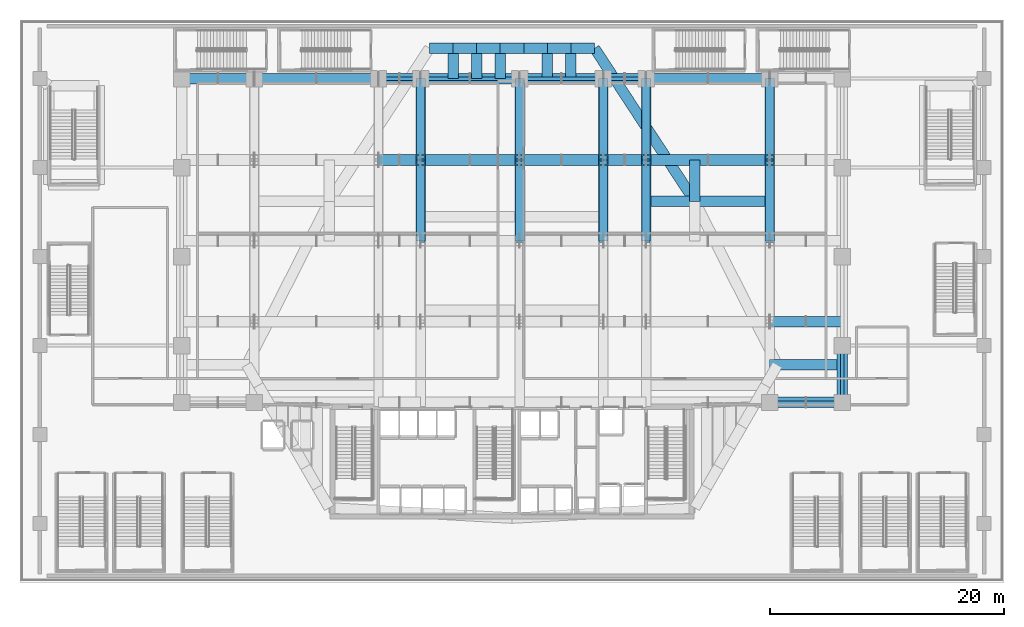
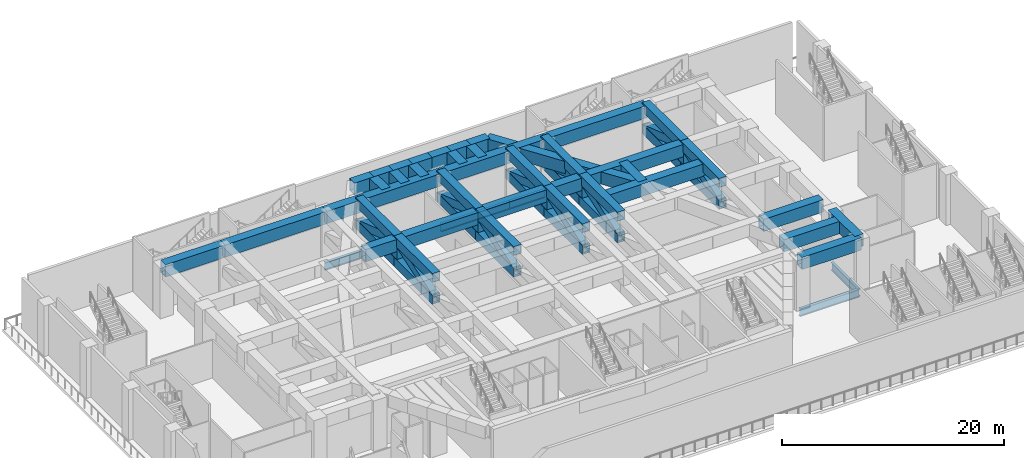
# One storey, part 3 of 27: 37 beams, 35 members.
"""IFC4 building model written with IfcOpenShell, lengths in metres."""

from ifc_helpers import new_model, si_unit, direction, frame, origin, origin_2d, place, context, subcontext, project, spatial, hollow_rectangle, i_section, extrude, material, material_profile, profile_set, type_object, element, save


model = new_model("IFC4")

# Units and contexts
model_context = context("Model", 3, precision=1e-05, world=origin(), true_north=direction((0.0, 1.0)))
body_context = subcontext(model_context, "Body", "Model", "MODEL_VIEW")
ifc_project = project(units=[si_unit("LENGTHUNIT", "METRE"), si_unit("AREAUNIT", "SQUARE_METRE"), si_unit("VOLUMEUNIT", "CUBIC_METRE"), si_unit("PLANEANGLEUNIT", "RADIAN"), si_unit("MASSUNIT", "GRAM", prefix="KILO")], contexts=[model_context])

# Site, building, storey
site_placement = place(None, origin())
site = spatial("IfcSite", under=ifc_project, at=site_placement, CompositionType="ELEMENT")
building_placement = place(site_placement, origin())
building = spatial("IfcBuilding", under=site, at=building_placement, Name="Ndaravel Arena Tower", CompositionType="ELEMENT")
storey_placement = place(building_placement, frame((0.0, 0.0, 24.0)))
storey = spatial("IfcBuildingStorey", under=building, at=storey_placement, Name="L04", CompositionType="ELEMENT", Elevation=24.0)

# Beams
ifc_material_1 = material(Name="Steel S355", Category="steel")
ifc_material_profile_1 = material_profile(ifc_material_1, i_section(OverallWidth=0.293701171875, OverallDepth=0.850830078125, WebThickness=0.01611328125, FlangeThickness=0.02685546875, FilletRadius=0.017822265625, at=origin_2d()), Name="UB 838x292x226")
ifc_profile_set_1 = profile_set([ifc_material_profile_1], Name="Steel S355")
beam_type_1 = type_object("IfcBeamType", Name="BM-POD-UB838", PredefinedType="BEAM", material=ifc_profile_set_1)
beam_1_placement = place(storey_placement, frame((70.199951171875, 15.35009765625, -0.7255859375), z_axis=(0.0, 1.0, 0.0), x_axis=(-1.0, 0.0, 0.0)))
element("IfcBeam", 1, at=beam_1_placement, inside=storey, type_object=beam_type_1, Name="L04 Arena Ring Girder 05", PredefinedType="BEAM", context=body_context, shape_type="SweptSolid", body=[
    extrude(i_section(OverallWidth=0.293701171875, OverallDepth=0.850830078125, WebThickness=0.01611328125, FlangeThickness=0.02685546875, FilletRadius=0.017822265625, at=origin_2d()), origin(), (0.0, 0.0, 1.0), 4.849853515625),
])
beam_2_placement = place(storey_placement, frame((30.60009765625, 43.0, -0.7255859375), z_axis=(1.0, 0.0, 0.0), x_axis=(0.0, 1.0, 0.0)))
element("IfcBeam", 2, at=beam_2_placement, inside=storey, type_object=beam_type_1, Name="L04 Arena Ring Girder 11", PredefinedType="BEAM", context=body_context, shape_type="SweptSolid", body=[
    extrude(i_section(OverallWidth=0.293701171875, OverallDepth=0.850830078125, WebThickness=0.01611328125, FlangeThickness=0.02685546875, FilletRadius=0.017822265625, at=origin_2d()), origin(), (0.0, 0.0, 1.0), 3.599853515625),
])
beam_3_placement = place(storey_placement, frame((34.199951171875, 43.0, -0.7255859375), z_axis=(1.0, 0.0, 0.0), x_axis=(0.0, 1.0, 0.0)))
element("IfcBeam", 3, at=beam_3_placement, inside=storey, type_object=beam_type_1, Name="L04 Arena Ring Girder 12", PredefinedType="BEAM", context=body_context, shape_type="SweptSolid", body=[
    extrude(i_section(OverallWidth=0.293701171875, OverallDepth=0.850830078125, WebThickness=0.01611328125, FlangeThickness=0.02685546875, FilletRadius=0.017822265625, at=origin_2d()), origin(), (0.0, 0.0, 1.0), 8.449951171875),
])
beam_4_placement = place(storey_placement, frame((42.64990234375, 43.0, -0.7255859375), z_axis=(1.0, 0.0, 0.0), x_axis=(0.0, 1.0, 0.0)))
element("IfcBeam", 4, at=beam_4_placement, inside=storey, type_object=beam_type_1, Name="L04 Arena Ring Girder 13", PredefinedType="BEAM", context=body_context, shape_type="SweptSolid", body=[
    extrude(i_section(OverallWidth=0.293701171875, OverallDepth=0.850830078125, WebThickness=0.01611328125, FlangeThickness=0.02685546875, FilletRadius=0.017822265625, at=origin_2d()), origin(), (0.0, 0.0, 1.0), 7.150146484375),
])
beam_5_placement = place(storey_placement, frame((49.800048828125, 43.0, -0.7255859375), z_axis=(1.0, 0.0, 0.0), x_axis=(0.0, 1.0, 0.0)))
element("IfcBeam", 5, at=beam_5_placement, inside=storey, type_object=beam_type_1, Name="L04 Arena Ring Girder 14", PredefinedType="BEAM", context=body_context, shape_type="SweptSolid", body=[
    extrude(i_section(OverallWidth=0.293701171875, OverallDepth=0.850830078125, WebThickness=0.01611328125, FlangeThickness=0.02685546875, FilletRadius=0.017822265625, at=origin_2d()), origin(), (0.0, 0.0, 1.0), 3.64990234375),
])
beam_6_placement = place(storey_placement, frame((64.0, 15.35009765625, -0.7255859375), z_axis=(1.0, 0.0, 0.0), x_axis=(0.0, 1.0, 0.0)))
element("IfcBeam", 6, at=beam_6_placement, inside=storey, type_object=beam_type_1, Name="L04 Arena Ring Girder 20", PredefinedType="BEAM", context=body_context, shape_type="SweptSolid", body=[
    extrude(i_section(OverallWidth=0.293701171875, OverallDepth=0.850830078125, WebThickness=0.01611328125, FlangeThickness=0.02685546875, FilletRadius=0.017822265625, at=origin_2d()), origin(), (0.0, 0.0, 1.0), 6.199951171875),
])
ifc_material_2 = material(Name="Steel S460", Category="steel")
ifc_material_profile_2 = material_profile(ifc_material_2, hollow_rectangle(XDim=0.89990234375, YDim=1.35009765625, WallThickness=0.070068359375, at=origin_2d()), Name="BOX 1350x900x70")
ifc_profile_set_2 = profile_set([ifc_material_profile_2], Name="Steel S460")
beam_type_2 = type_object("IfcBeamType", Name="BM-XFER-BOX1350", PredefinedType="BEAM", material=ifc_profile_set_2)
beam_7_placement = place(storey_placement, frame((70.199951171875, 15.35009765625, 4.875), z_axis=(0.0, 1.0, 0.0), x_axis=(-1.0, 0.0, 0.0)))
element("IfcBeam", 7, at=beam_7_placement, inside=storey, type_object=beam_type_2, Name="Transfer Perimeter Box Girder TPB-2.1", PredefinedType="BEAM", context=body_context, shape_type="SweptSolid", body=[
    extrude(hollow_rectangle(XDim=0.89990234375, YDim=1.35009765625, WallThickness=0.070068359375, at=origin_2d()), origin(), (0.0, 0.0, 1.0), 4.849853515625),
])
for number, where, z_axis, x_axis, name in (
    (8, (64.0, 15.35009765625, 4.875), (1.0, 0.0, 0.0), (0.0, 1.0, 0.0), "Transfer Deck Box Girder TG-1.8"),
    (9, (64.0, 22.25, 4.875), (1.0, 0.0, 0.0), (0.0, 1.0, 0.0), "Transfer Deck Box Girder TG-2.8"),
):
    element("IfcBeam", number, at=place(storey_placement, frame(where, z_axis=z_axis, x_axis=x_axis)), inside=storey, type_object=beam_type_2, Name=name, PredefinedType="BEAM", context=body_context, shape_type="SweptSolid", body=[
        extrude(hollow_rectangle(XDim=0.89990234375, YDim=1.35009765625, WallThickness=0.070068359375, at=origin_2d()), origin(), (0.0, 0.0, 1.0), 6.199951171875),
    ])
beam_8_placement = place(storey_placement, frame((30.60009765625, 36.050048828125, 4.875), z_axis=(1.0, 0.0, 0.0), x_axis=(0.0, 1.0, 0.0)))
element("IfcBeam", 10, at=beam_8_placement, inside=storey, type_object=beam_type_2, Name="Transfer Deck Box Girder TG-4.3", PredefinedType="BEAM", context=body_context, shape_type="SweptSolid", body=[
    extrude(hollow_rectangle(XDim=0.89990234375, YDim=1.35009765625, WallThickness=0.070068359375, at=origin_2d()), origin(), (0.0, 0.0, 1.0), 3.599853515625),
])
beam_9_placement = place(storey_placement, frame((34.199951171875, 36.050048828125, 4.875), z_axis=(1.0, 0.0, 0.0), x_axis=(0.0, 1.0, 0.0)))
element("IfcBeam", 11, at=beam_9_placement, inside=storey, type_object=beam_type_2, Name="Transfer Deck Box Girder TG-4.4", PredefinedType="BEAM", context=body_context, shape_type="SweptSolid", body=[
    extrude(hollow_rectangle(XDim=0.89990234375, YDim=1.35009765625, WallThickness=0.070068359375, at=origin_2d()), origin(), (0.0, 0.0, 1.0), 8.449951171875),
])
beam_10_placement = place(storey_placement, frame((42.64990234375, 36.050048828125, 4.875), z_axis=(1.0, 0.0, 0.0), x_axis=(0.0, 1.0, 0.0)))
element("IfcBeam", 12, at=beam_10_placement, inside=storey, type_object=beam_type_2, Name="Transfer Deck Box Girder TG-4.5", PredefinedType="BEAM", context=body_context, shape_type="SweptSolid", body=[
    extrude(hollow_rectangle(XDim=0.89990234375, YDim=1.35009765625, WallThickness=0.070068359375, at=origin_2d()), origin(), (0.0, 0.0, 1.0), 7.150146484375),
])
beam_11_placement = place(storey_placement, frame((49.800048828125, 36.050048828125, 4.875), z_axis=(1.0, 0.0, 0.0), x_axis=(0.0, 1.0, 0.0)))
element("IfcBeam", 13, at=beam_11_placement, inside=storey, type_object=beam_type_2, Name="Transfer Deck Box Girder TG-4.6", PredefinedType="BEAM", context=body_context, shape_type="SweptSolid", body=[
    extrude(hollow_rectangle(XDim=0.89990234375, YDim=1.35009765625, WallThickness=0.070068359375, at=origin_2d()), origin(), (0.0, 0.0, 1.0), 3.64990234375),
])
beam_12_placement = place(storey_placement, frame((53.449951171875, 36.050048828125, 4.875), z_axis=(1.0, 0.0, 0.0), x_axis=(0.0, 1.0, 0.0)))
element("IfcBeam", 14, at=beam_12_placement, inside=storey, type_object=beam_type_2, Name="Transfer Deck Box Girder TG-4.7", PredefinedType="BEAM", context=body_context, shape_type="SweptSolid", body=[
    extrude(hollow_rectangle(XDim=0.89990234375, YDim=1.35009765625, WallThickness=0.070068359375, at=origin_2d()), origin(), (0.0, 0.0, 1.0), 10.550048828125),
])
beam_13_placement = place(storey_placement, frame((13.800048828125, 43.0, 4.875), z_axis=(1.0, 0.0, 0.0), x_axis=(0.0, 1.0, 0.0)))
element("IfcBeam", 15, at=beam_13_placement, inside=storey, type_object=beam_type_2, Name="Transfer Deck Box Girder TG-5.1", PredefinedType="BEAM", context=body_context, shape_type="SweptSolid", body=[
    extrude(hollow_rectangle(XDim=0.89990234375, YDim=1.35009765625, WallThickness=0.070068359375, at=origin_2d()), origin(), (0.0, 0.0, 1.0), 6.199951171875),
])
beam_14_placement = place(storey_placement, frame((20.0, 43.0, 4.875), z_axis=(1.0, 0.0, 0.0), x_axis=(0.0, 1.0, 0.0)))
element("IfcBeam", 16, at=beam_14_placement, inside=storey, type_object=beam_type_2, Name="Transfer Deck Box Girder TG-5.2", PredefinedType="BEAM", context=body_context, shape_type="SweptSolid", body=[
    extrude(hollow_rectangle(XDim=0.89990234375, YDim=1.35009765625, WallThickness=0.070068359375, at=origin_2d()), origin(), (0.0, 0.0, 1.0), 10.60009765625),
])
beam_15_placement = place(storey_placement, frame((30.60009765625, 43.0, 4.875), z_axis=(1.0, 0.0, 0.0), x_axis=(0.0, 1.0, 0.0)))
element("IfcBeam", 17, at=beam_15_placement, inside=storey, type_object=beam_type_2, Name="Transfer Deck Box Girder TG-5.3", PredefinedType="BEAM", context=body_context, shape_type="SweptSolid", body=[
    extrude(hollow_rectangle(XDim=0.89990234375, YDim=1.35009765625, WallThickness=0.070068359375, at=origin_2d()), origin(), (0.0, 0.0, 1.0), 3.599853515625),
])
beam_16_placement = place(storey_placement, frame((34.199951171875, 43.0, 4.875), z_axis=(1.0, 0.0, 0.0), x_axis=(0.0, 1.0, 0.0)))
element("IfcBeam", 18, at=beam_16_placement, inside=storey, type_object=beam_type_2, Name="Transfer Deck Box Girder TG-5.4", PredefinedType="BEAM", context=body_context, shape_type="SweptSolid", body=[
    extrude(hollow_rectangle(XDim=0.89990234375, YDim=1.35009765625, WallThickness=0.070068359375, at=origin_2d()), origin(), (0.0, 0.0, 1.0), 8.449951171875),
])
beam_17_placement = place(storey_placement, frame((42.64990234375, 43.0, 4.875), z_axis=(1.0, 0.0, 0.0), x_axis=(0.0, 1.0, 0.0)))
element("IfcBeam", 19, at=beam_17_placement, inside=storey, type_object=beam_type_2, Name="Transfer Deck Box Girder TG-5.5", PredefinedType="BEAM", context=body_context, shape_type="SweptSolid", body=[
    extrude(hollow_rectangle(XDim=0.89990234375, YDim=1.35009765625, WallThickness=0.070068359375, at=origin_2d()), origin(), (0.0, 0.0, 1.0), 7.150146484375),
])
beam_18_placement = place(storey_placement, frame((49.800048828125, 43.0, 4.875), z_axis=(1.0, 0.0, 0.0), x_axis=(0.0, 1.0, 0.0)))
element("IfcBeam", 20, at=beam_18_placement, inside=storey, type_object=beam_type_2, Name="Transfer Deck Box Girder TG-5.6", PredefinedType="BEAM", context=body_context, shape_type="SweptSolid", body=[
    extrude(hollow_rectangle(XDim=0.89990234375, YDim=1.35009765625, WallThickness=0.070068359375, at=origin_2d()), origin(), (0.0, 0.0, 1.0), 3.64990234375),
])
beam_19_placement = place(storey_placement, frame((53.449951171875, 43.0, 4.875), z_axis=(1.0, 0.0, 0.0), x_axis=(0.0, 1.0, 0.0)))
element("IfcBeam", 21, at=beam_19_placement, inside=storey, type_object=beam_type_2, Name="Transfer Deck Box Girder TG-5.7", PredefinedType="BEAM", context=body_context, shape_type="SweptSolid", body=[
    extrude(hollow_rectangle(XDim=0.89990234375, YDim=1.35009765625, WallThickness=0.070068359375, at=origin_2d()), origin(), (0.0, 0.0, 1.0), 10.550048828125),
])
beam_20_placement = place(storey_placement, frame((64.0, 18.55810546875, 4.875), z_axis=(1.0, 0.0, 0.0), x_axis=(0.0, 1.0, 0.0)))
element("IfcBeam", 22, at=beam_20_placement, inside=storey, type_object=beam_type_2, Name="Tower Base Span Tie Girder TTEW-09", PredefinedType="BEAM", context=body_context, shape_type="SweptSolid", body=[
    extrude(hollow_rectangle(XDim=0.89990234375, YDim=1.35009765625, WallThickness=0.070068359375, at=origin_2d()), origin(), (0.0, 0.0, 1.0), 6.199951171875),
])
beam_21_placement = place(storey_placement, frame((57.605712890625, 32.510009765625, 4.875), z_axis=(-0.547517816718, 0.83679402506, 0.0), x_axis=(-0.83679402506, -0.547517816718, 0.0)))
element("IfcBeam", 23, at=beam_21_placement, inside=storey, type_object=beam_type_2, Name="Tower Base Transfer Ring Girder TRG-10", PredefinedType="BEAM", context=body_context, shape_type="SweptSolid", body=[
    extrude(hollow_rectangle(XDim=0.89990234375, YDim=1.35009765625, WallThickness=0.070068359375, at=origin_2d()), origin(), (0.0, 0.0, 1.0), 15.631103515625),
])
beam_22_placement = place(storey_placement, frame((53.449951171875, 32.510009765625, 4.875), z_axis=(1.0, 0.0, 0.0), x_axis=(0.0, 1.0, 0.0)))
element("IfcBeam", 24, at=beam_22_placement, inside=storey, type_object=beam_type_2, Name="Tower Base Span Tie Girder TTEW-10", PredefinedType="BEAM", context=body_context, shape_type="SweptSolid", body=[
    extrude(hollow_rectangle(XDim=0.89990234375, YDim=1.35009765625, WallThickness=0.070068359375, at=origin_2d()), origin(), (0.0, 0.0, 1.0), 10.550048828125),
])
beam_23_placement = place(storey_placement, frame((57.605712890625, 32.510009765625, 4.875), z_axis=(0.0, 1.0, 0.0), x_axis=(-1.0, 0.0, 0.0)))
element("IfcBeam", 25, at=beam_23_placement, inside=storey, type_object=beam_type_2, Name="Tower Base North Tie Girder TTN-10", PredefinedType="BEAM", context=body_context, shape_type="SweptSolid", body=[
    extrude(hollow_rectangle(XDim=0.89990234375, YDim=1.35009765625, WallThickness=0.070068359375, at=origin_2d()), origin(), (0.0, 0.0, 1.0), 3.5400390625),
])
beam_24_placement = place(storey_placement, frame((49.04736328125, 45.590087890625, 4.875), z_axis=(-1.0, 0.0, 0.0), x_axis=(0.0, -1.0, 0.0)))
element("IfcBeam", 26, at=beam_24_placement, inside=storey, type_object=beam_type_2, Name="Tower Base Transfer Ring Girder TRG-11", PredefinedType="BEAM", context=body_context, shape_type="SweptSolid", body=[
    extrude(hollow_rectangle(XDim=0.89990234375, YDim=1.35009765625, WallThickness=0.070068359375, at=origin_2d()), origin(), (0.0, 0.0, 1.0), 2.013671875),
])
beam_25_placement = place(storey_placement, frame((47.03369140625, 45.590087890625, 4.875), z_axis=(-1.0, 0.0, 0.0), x_axis=(0.0, -1.0, 0.0)))
element("IfcBeam", 27, at=beam_25_placement, inside=storey, type_object=beam_type_2, Name="Tower Base Transfer Ring Girder TRG-12", PredefinedType="BEAM", context=body_context, shape_type="SweptSolid", body=[
    extrude(hollow_rectangle(XDim=0.89990234375, YDim=1.35009765625, WallThickness=0.070068359375, at=origin_2d()), origin(), (0.0, 0.0, 1.0), 2.013427734375),
])
beam_26_placement = place(storey_placement, frame((47.03369140625, 43.0, 4.875), z_axis=(0.0, 1.0, 0.0), x_axis=(-1.0, 0.0, 0.0)))
element("IfcBeam", 28, at=beam_26_placement, inside=storey, type_object=beam_type_2, Name="Tower Base South Tie Girder TTS-12", PredefinedType="BEAM", context=body_context, shape_type="SweptSolid", body=[
    extrude(hollow_rectangle(XDim=0.89990234375, YDim=1.35009765625, WallThickness=0.070068359375, at=origin_2d()), origin(), (0.0, 0.0, 1.0), 2.590087890625),
])
beam_27_placement = place(storey_placement, frame((45.020263671875, 45.590087890625, 4.875), z_axis=(-1.0, 0.0, 0.0), x_axis=(0.0, -1.0, 0.0)))
element("IfcBeam", 29, at=beam_27_placement, inside=storey, type_object=beam_type_2, Name="Tower Base Transfer Ring Girder TRG-13", PredefinedType="BEAM", context=body_context, shape_type="SweptSolid", body=[
    extrude(hollow_rectangle(XDim=0.89990234375, YDim=1.35009765625, WallThickness=0.070068359375, at=origin_2d()), origin(), (0.0, 0.0, 1.0), 2.013427734375),
])
beam_28_placement = place(storey_placement, frame((45.020263671875, 43.0, 4.875), z_axis=(0.0, 1.0, 0.0), x_axis=(-1.0, 0.0, 0.0)))
element("IfcBeam", 30, at=beam_28_placement, inside=storey, type_object=beam_type_2, Name="Tower Base South Tie Girder TTS-13", PredefinedType="BEAM", context=body_context, shape_type="SweptSolid", body=[
    extrude(hollow_rectangle(XDim=0.89990234375, YDim=1.35009765625, WallThickness=0.070068359375, at=origin_2d()), origin(), (0.0, 0.0, 1.0), 2.590087890625),
])
beam_29_placement = place(storey_placement, frame((43.0068359375, 45.590087890625, 4.875), z_axis=(-1.0, 0.0, 0.0), x_axis=(0.0, -1.0, 0.0)))
element("IfcBeam", 31, at=beam_29_placement, inside=storey, type_object=beam_type_2, Name="Tower Base Transfer Ring Girder TRG-14", PredefinedType="BEAM", context=body_context, shape_type="SweptSolid", body=[
    extrude(hollow_rectangle(XDim=0.89990234375, YDim=1.35009765625, WallThickness=0.070068359375, at=origin_2d()), origin(), (0.0, 0.0, 1.0), 2.013671875),
])
beam_30_placement = place(storey_placement, frame((40.9931640625, 45.590087890625, 4.875), z_axis=(-1.0, 0.0, 0.0), x_axis=(0.0, -1.0, 0.0)))
element("IfcBeam", 32, at=beam_30_placement, inside=storey, type_object=beam_type_2, Name="Tower Base Transfer Ring Girder TRG-15", PredefinedType="BEAM", context=body_context, shape_type="SweptSolid", body=[
    extrude(hollow_rectangle(XDim=0.89990234375, YDim=1.35009765625, WallThickness=0.070068359375, at=origin_2d()), origin(), (0.0, 0.0, 1.0), 2.013427734375),
])
beam_31_placement = place(storey_placement, frame((40.9931640625, 43.0, 4.875), z_axis=(0.0, 1.0, 0.0), x_axis=(-1.0, 0.0, 0.0)))
element("IfcBeam", 33, at=beam_31_placement, inside=storey, type_object=beam_type_2, Name="Tower Base South Tie Girder TTS-15", PredefinedType="BEAM", context=body_context, shape_type="SweptSolid", body=[
    extrude(hollow_rectangle(XDim=0.89990234375, YDim=1.35009765625, WallThickness=0.070068359375, at=origin_2d()), origin(), (0.0, 0.0, 1.0), 2.590087890625),
])
beam_32_placement = place(storey_placement, frame((38.979736328125, 45.590087890625, 4.875), z_axis=(-1.0, 0.0, 0.0), x_axis=(0.0, -1.0, 0.0)))
element("IfcBeam", 34, at=beam_32_placement, inside=storey, type_object=beam_type_2, Name="Tower Base Transfer Ring Girder TRG-16", PredefinedType="BEAM", context=body_context, shape_type="SweptSolid", body=[
    extrude(hollow_rectangle(XDim=0.89990234375, YDim=1.35009765625, WallThickness=0.070068359375, at=origin_2d()), origin(), (0.0, 0.0, 1.0), 2.013427734375),
])
beam_33_placement = place(storey_placement, frame((38.979736328125, 43.0, 4.875), z_axis=(0.0, 1.0, 0.0), x_axis=(-1.0, 0.0, 0.0)))
element("IfcBeam", 35, at=beam_33_placement, inside=storey, type_object=beam_type_2, Name="Tower Base South Tie Girder TTS-16", PredefinedType="BEAM", context=body_context, shape_type="SweptSolid", body=[
    extrude(hollow_rectangle(XDim=0.89990234375, YDim=1.35009765625, WallThickness=0.070068359375, at=origin_2d()), origin(), (0.0, 0.0, 1.0), 2.590087890625),
])
beam_34_placement = place(storey_placement, frame((36.96630859375, 45.590087890625, 4.875), z_axis=(-1.0, 0.0, 0.0), x_axis=(0.0, -1.0, 0.0)))
element("IfcBeam", 36, at=beam_34_placement, inside=storey, type_object=beam_type_2, Name="Tower Base Transfer Ring Girder TRG-17", PredefinedType="BEAM", context=body_context, shape_type="SweptSolid", body=[
    extrude(hollow_rectangle(XDim=0.89990234375, YDim=1.35009765625, WallThickness=0.070068359375, at=origin_2d()), origin(), (0.0, 0.0, 1.0), 2.013671875),
])
beam_35_placement = place(storey_placement, frame((36.96630859375, 43.0, 4.875), z_axis=(0.0, 1.0, 0.0), x_axis=(-1.0, 0.0, 0.0)))
element("IfcBeam", 37, at=beam_35_placement, inside=storey, type_object=beam_type_2, Name="Tower Base South Tie Girder TTS-17", PredefinedType="BEAM", context=body_context, shape_type="SweptSolid", body=[
    extrude(hollow_rectangle(XDim=0.89990234375, YDim=1.35009765625, WallThickness=0.070068359375, at=origin_2d()), origin(), (0.0, 0.0, 1.0), 2.590087890625),
])

# Members
ifc_material_3 = material(Name="Steel S460", Category="steel")
ifc_material_profile_3 = material_profile(ifc_material_3, hollow_rectangle(XDim=0.800048828125, YDim=1.0, WallThickness=0.06005859375, at=origin_2d()), Name="BOX 1000x800x60")
ifc_profile_set_3 = profile_set([ifc_material_profile_3], Name="Steel S460")
member_type_1 = type_object("IfcMemberType", Name="MEM-TT-CHORD", PredefinedType="CHORD", material=ifc_profile_set_3)
for number, where, z_axis, x_axis, name in (
    (38, (34.199951171875, 29.14990234375, 5.199951171875), (0.0, 1.0, 0.0), (-1.0, 0.0, 0.0), "Transfer Truss TT-3 Top Chord 3"),
    (39, (34.199951171875, 29.14990234375, 2.820068359375), (0.0, 1.0, 0.0), (-1.0, 0.0, 0.0), "Transfer Truss TT-3 Bottom Chord 3"),
):
    element("IfcMember", number, at=place(storey_placement, frame(where, z_axis=z_axis, x_axis=x_axis)), inside=storey, type_object=member_type_1, Name=name, PredefinedType="CHORD", context=body_context, shape_type="SweptSolid", body=[
        extrude(hollow_rectangle(XDim=0.800048828125, YDim=1.0, WallThickness=0.06005859375, at=origin_2d()), origin(), (0.0, 0.0, 1.0), 6.900146484375),
    ])
for number, where, z_axis, x_axis, name in (
    (40, (34.199951171875, 36.050048828125, 5.199951171875), (0.0, 1.0, 0.0), (-1.0, 0.0, 0.0), "Transfer Truss TT-3 Top Chord 4"),
    (41, (34.199951171875, 36.050048828125, 2.820068359375), (0.0, 1.0, 0.0), (-1.0, 0.0, 0.0), "Transfer Truss TT-3 Bottom Chord 4"),
):
    element("IfcMember", number, at=place(storey_placement, frame(where, z_axis=z_axis, x_axis=x_axis)), inside=storey, type_object=member_type_1, Name=name, PredefinedType="CHORD", context=body_context, shape_type="SweptSolid", body=[
        extrude(hollow_rectangle(XDim=0.800048828125, YDim=1.0, WallThickness=0.06005859375, at=origin_2d()), origin(), (0.0, 0.0, 1.0), 6.949951171875),
    ])
for number, where, z_axis, x_axis, name in (
    (42, (42.64990234375, 29.14990234375, 5.199951171875), (0.0, 1.0, 0.0), (-1.0, 0.0, 0.0), "Transfer Truss TT-4 Top Chord 3"),
    (43, (42.64990234375, 29.14990234375, 2.820068359375), (0.0, 1.0, 0.0), (-1.0, 0.0, 0.0), "Transfer Truss TT-4 Bottom Chord 3"),
):
    element("IfcMember", number, at=place(storey_placement, frame(where, z_axis=z_axis, x_axis=x_axis)), inside=storey, type_object=member_type_1, Name=name, PredefinedType="CHORD", context=body_context, shape_type="SweptSolid", body=[
        extrude(hollow_rectangle(XDim=0.800048828125, YDim=1.0, WallThickness=0.06005859375, at=origin_2d()), origin(), (0.0, 0.0, 1.0), 6.900146484375),
    ])
for number, where, z_axis, x_axis, name in (
    (44, (42.64990234375, 36.050048828125, 5.199951171875), (0.0, 1.0, 0.0), (-1.0, 0.0, 0.0), "Transfer Truss TT-4 Top Chord 4"),
    (45, (42.64990234375, 36.050048828125, 2.820068359375), (0.0, 1.0, 0.0), (-1.0, 0.0, 0.0), "Transfer Truss TT-4 Bottom Chord 4"),
):
    element("IfcMember", number, at=place(storey_placement, frame(where, z_axis=z_axis, x_axis=x_axis)), inside=storey, type_object=member_type_1, Name=name, PredefinedType="CHORD", context=body_context, shape_type="SweptSolid", body=[
        extrude(hollow_rectangle(XDim=0.800048828125, YDim=1.0, WallThickness=0.06005859375, at=origin_2d()), origin(), (0.0, 0.0, 1.0), 6.949951171875),
    ])
for number, where, z_axis, x_axis, name in (
    (46, (49.800048828125, 29.14990234375, 5.199951171875), (0.0, 1.0, 0.0), (-1.0, 0.0, 0.0), "Transfer Truss TT-5 Top Chord 3"),
    (47, (49.800048828125, 29.14990234375, 2.820068359375), (0.0, 1.0, 0.0), (-1.0, 0.0, 0.0), "Transfer Truss TT-5 Bottom Chord 3"),
):
    element("IfcMember", number, at=place(storey_placement, frame(where, z_axis=z_axis, x_axis=x_axis)), inside=storey, type_object=member_type_1, Name=name, PredefinedType="CHORD", context=body_context, shape_type="SweptSolid", body=[
        extrude(hollow_rectangle(XDim=0.800048828125, YDim=1.0, WallThickness=0.06005859375, at=origin_2d()), origin(), (0.0, 0.0, 1.0), 6.900146484375),
    ])
for number, where, z_axis, x_axis, name in (
    (48, (49.800048828125, 36.050048828125, 5.199951171875), (0.0, 1.0, 0.0), (-1.0, 0.0, 0.0), "Transfer Truss TT-5 Top Chord 4"),
    (49, (49.800048828125, 36.050048828125, 2.820068359375), (0.0, 1.0, 0.0), (-1.0, 0.0, 0.0), "Transfer Truss TT-5 Bottom Chord 4"),
):
    element("IfcMember", number, at=place(storey_placement, frame(where, z_axis=z_axis, x_axis=x_axis)), inside=storey, type_object=member_type_1, Name=name, PredefinedType="CHORD", context=body_context, shape_type="SweptSolid", body=[
        extrude(hollow_rectangle(XDim=0.800048828125, YDim=1.0, WallThickness=0.06005859375, at=origin_2d()), origin(), (0.0, 0.0, 1.0), 6.949951171875),
    ])
for number, where, z_axis, x_axis, name in (
    (50, (53.449951171875, 29.14990234375, 5.199951171875), (0.0, 1.0, 0.0), (-1.0, 0.0, 0.0), "Transfer Truss TT-6 Top Chord 3"),
    (51, (53.449951171875, 29.14990234375, 2.820068359375), (0.0, 1.0, 0.0), (-1.0, 0.0, 0.0), "Transfer Truss TT-6 Bottom Chord 3"),
):
    element("IfcMember", number, at=place(storey_placement, frame(where, z_axis=z_axis, x_axis=x_axis)), inside=storey, type_object=member_type_1, Name=name, PredefinedType="CHORD", context=body_context, shape_type="SweptSolid", body=[
        extrude(hollow_rectangle(XDim=0.800048828125, YDim=1.0, WallThickness=0.06005859375, at=origin_2d()), origin(), (0.0, 0.0, 1.0), 6.900146484375),
    ])
for number, where, z_axis, x_axis, name in (
    (52, (53.449951171875, 36.050048828125, 5.199951171875), (0.0, 1.0, 0.0), (-1.0, 0.0, 0.0), "Transfer Truss TT-6 Top Chord 4"),
    (53, (53.449951171875, 36.050048828125, 2.820068359375), (0.0, 1.0, 0.0), (-1.0, 0.0, 0.0), "Transfer Truss TT-6 Bottom Chord 4"),
):
    element("IfcMember", number, at=place(storey_placement, frame(where, z_axis=z_axis, x_axis=x_axis)), inside=storey, type_object=member_type_1, Name=name, PredefinedType="CHORD", context=body_context, shape_type="SweptSolid", body=[
        extrude(hollow_rectangle(XDim=0.800048828125, YDim=1.0, WallThickness=0.06005859375, at=origin_2d()), origin(), (0.0, 0.0, 1.0), 6.949951171875),
    ])
for number, where, z_axis, x_axis, name in (
    (54, (64.0, 29.14990234375, 5.199951171875), (0.0, 1.0, 0.0), (-1.0, 0.0, 0.0), "Transfer Truss TT-7 Top Chord 3"),
    (55, (64.0, 29.14990234375, 2.820068359375), (0.0, 1.0, 0.0), (-1.0, 0.0, 0.0), "Transfer Truss TT-7 Bottom Chord 3"),
):
    element("IfcMember", number, at=place(storey_placement, frame(where, z_axis=z_axis, x_axis=x_axis)), inside=storey, type_object=member_type_1, Name=name, PredefinedType="CHORD", context=body_context, shape_type="SweptSolid", body=[
        extrude(hollow_rectangle(XDim=0.800048828125, YDim=1.0, WallThickness=0.06005859375, at=origin_2d()), origin(), (0.0, 0.0, 1.0), 6.900146484375),
    ])
for number, where, z_axis, x_axis, name in (
    (56, (64.0, 36.050048828125, 5.199951171875), (0.0, 1.0, 0.0), (-1.0, 0.0, 0.0), "Transfer Truss TT-7 Top Chord 4"),
    (57, (64.0, 36.050048828125, 2.820068359375), (0.0, 1.0, 0.0), (-1.0, 0.0, 0.0), "Transfer Truss TT-7 Bottom Chord 4"),
):
    element("IfcMember", number, at=place(storey_placement, frame(where, z_axis=z_axis, x_axis=x_axis)), inside=storey, type_object=member_type_1, Name=name, PredefinedType="CHORD", context=body_context, shape_type="SweptSolid", body=[
        extrude(hollow_rectangle(XDim=0.800048828125, YDim=1.0, WallThickness=0.06005859375, at=origin_2d()), origin(), (0.0, 0.0, 1.0), 6.949951171875),
    ])
ifc_material_4 = material(Name="Steel S460", Category="steel")
ifc_material_profile_4 = material_profile(ifc_material_4, hollow_rectangle(XDim=0.699951171875, YDim=0.85009765625, WallThickness=0.050048828125, at=origin_2d()), Name="BOX 850x700x50")
ifc_profile_set_4 = profile_set([ifc_material_profile_4], Name="Steel S460")
member_type_2 = type_object("IfcMemberType", Name="MEM-TT-DIAG", PredefinedType="BRACE", material=ifc_profile_set_4)
member_1_placement = place(storey_placement, frame((34.199951171875, 29.14990234375, 2.820068359375), z_axis=(0.0, 0.945350941228, 0.326054593465), x_axis=(-1.0, 0.0, 0.0)))
element("IfcMember", 58, at=member_1_placement, inside=storey, type_object=member_type_2, Name="Transfer Truss TT-3 Diagonal 3", PredefinedType="BRACE", context=body_context, shape_type="SweptSolid", body=[
    extrude(hollow_rectangle(XDim=0.699951171875, YDim=0.85009765625, WallThickness=0.050048828125, at=origin_2d()), origin(), (0.0, 0.0, 1.0), 7.299072265625),
])
member_2_placement = place(storey_placement, frame((34.199951171875, 36.050048828125, 5.199951171875), z_axis=(0.0, 0.946069393837, -0.323964044371), x_axis=(-1.0, 0.0, 0.0)))
element("IfcMember", 59, at=member_2_placement, inside=storey, type_object=member_type_2, Name="Transfer Truss TT-3 Diagonal 4", PredefinedType="BRACE", context=body_context, shape_type="SweptSolid", body=[
    extrude(hollow_rectangle(XDim=0.699951171875, YDim=0.85009765625, WallThickness=0.050048828125, at=origin_2d()), origin(), (0.0, 0.0, 1.0), 7.34619140625),
])
member_3_placement = place(storey_placement, frame((42.64990234375, 29.14990234375, 2.820068359375), z_axis=(0.0, 0.945350941228, 0.326054593465), x_axis=(-1.0, 0.0, 0.0)))
element("IfcMember", 60, at=member_3_placement, inside=storey, type_object=member_type_2, Name="Transfer Truss TT-4 Diagonal 3", PredefinedType="BRACE", context=body_context, shape_type="SweptSolid", body=[
    extrude(hollow_rectangle(XDim=0.699951171875, YDim=0.85009765625, WallThickness=0.050048828125, at=origin_2d()), origin(), (0.0, 0.0, 1.0), 7.299072265625),
])
member_4_placement = place(storey_placement, frame((42.64990234375, 36.050048828125, 5.199951171875), z_axis=(0.0, 0.946069393837, -0.323964044371), x_axis=(-1.0, 0.0, 0.0)))
element("IfcMember", 61, at=member_4_placement, inside=storey, type_object=member_type_2, Name="Transfer Truss TT-4 Diagonal 4", PredefinedType="BRACE", context=body_context, shape_type="SweptSolid", body=[
    extrude(hollow_rectangle(XDim=0.699951171875, YDim=0.85009765625, WallThickness=0.050048828125, at=origin_2d()), origin(), (0.0, 0.0, 1.0), 7.34619140625),
])
member_5_placement = place(storey_placement, frame((49.800048828125, 29.14990234375, 2.820068359375), z_axis=(0.0, 0.945350941228, 0.326054593465), x_axis=(-1.0, 0.0, 0.0)))
element("IfcMember", 62, at=member_5_placement, inside=storey, type_object=member_type_2, Name="Transfer Truss TT-5 Diagonal 3", PredefinedType="BRACE", context=body_context, shape_type="SweptSolid", body=[
    extrude(hollow_rectangle(XDim=0.699951171875, YDim=0.85009765625, WallThickness=0.050048828125, at=origin_2d()), origin(), (0.0, 0.0, 1.0), 7.299072265625),
])
member_6_placement = place(storey_placement, frame((49.800048828125, 36.050048828125, 5.199951171875), z_axis=(0.0, 0.946069393837, -0.323964044371), x_axis=(-1.0, 0.0, 0.0)))
element("IfcMember", 63, at=member_6_placement, inside=storey, type_object=member_type_2, Name="Transfer Truss TT-5 Diagonal 4", PredefinedType="BRACE", context=body_context, shape_type="SweptSolid", body=[
    extrude(hollow_rectangle(XDim=0.699951171875, YDim=0.85009765625, WallThickness=0.050048828125, at=origin_2d()), origin(), (0.0, 0.0, 1.0), 7.34619140625),
])
member_7_placement = place(storey_placement, frame((53.449951171875, 29.14990234375, 2.820068359375), z_axis=(0.0, 0.945350941228, 0.326054593465), x_axis=(-1.0, 0.0, 0.0)))
element("IfcMember", 64, at=member_7_placement, inside=storey, type_object=member_type_2, Name="Transfer Truss TT-6 Diagonal 3", PredefinedType="BRACE", context=body_context, shape_type="SweptSolid", body=[
    extrude(hollow_rectangle(XDim=0.699951171875, YDim=0.85009765625, WallThickness=0.050048828125, at=origin_2d()), origin(), (0.0, 0.0, 1.0), 7.299072265625),
])
member_8_placement = place(storey_placement, frame((53.449951171875, 36.050048828125, 5.199951171875), z_axis=(0.0, 0.946069393837, -0.323964044371), x_axis=(-1.0, 0.0, 0.0)))
element("IfcMember", 65, at=member_8_placement, inside=storey, type_object=member_type_2, Name="Transfer Truss TT-6 Diagonal 4", PredefinedType="BRACE", context=body_context, shape_type="SweptSolid", body=[
    extrude(hollow_rectangle(XDim=0.699951171875, YDim=0.85009765625, WallThickness=0.050048828125, at=origin_2d()), origin(), (0.0, 0.0, 1.0), 7.34619140625),
])
member_9_placement = place(storey_placement, frame((64.0, 29.14990234375, 2.820068359375), z_axis=(0.0, 0.945350941228, 0.326054593465), x_axis=(-1.0, 0.0, 0.0)))
element("IfcMember", 66, at=member_9_placement, inside=storey, type_object=member_type_2, Name="Transfer Truss TT-7 Diagonal 3", PredefinedType="BRACE", context=body_context, shape_type="SweptSolid", body=[
    extrude(hollow_rectangle(XDim=0.699951171875, YDim=0.85009765625, WallThickness=0.050048828125, at=origin_2d()), origin(), (0.0, 0.0, 1.0), 7.299072265625),
])
member_10_placement = place(storey_placement, frame((64.0, 36.050048828125, 5.199951171875), z_axis=(0.0, 0.946069393837, -0.323964044371), x_axis=(-1.0, 0.0, 0.0)))
element("IfcMember", 67, at=member_10_placement, inside=storey, type_object=member_type_2, Name="Transfer Truss TT-7 Diagonal 4", PredefinedType="BRACE", context=body_context, shape_type="SweptSolid", body=[
    extrude(hollow_rectangle(XDim=0.699951171875, YDim=0.85009765625, WallThickness=0.050048828125, at=origin_2d()), origin(), (0.0, 0.0, 1.0), 7.34619140625),
])
ifc_material_5 = material(Name="Steel S460", Category="steel")
ifc_material_profile_5 = material_profile(ifc_material_5, hollow_rectangle(XDim=0.75, YDim=0.89990234375, WallThickness=0.054931640625, at=origin_2d()), Name="BOX 900x750x55")
ifc_profile_set_5 = profile_set([ifc_material_profile_5], Name="Steel S460")
member_type_3 = type_object("IfcMemberType", Name="MEM-TT-POST", PredefinedType="POST", material=ifc_profile_set_5)
for number, where, z_axis, x_axis, name in (
    (68, (34.199951171875, 36.050048828125, 2.820068359375), (0.0, 0.0, 1.0), (1.0, 0.0, 0.0), "Transfer Truss TT-3 Post 4"),
    (69, (42.64990234375, 36.050048828125, 2.820068359375), (0.0, 0.0, 1.0), (1.0, 0.0, 0.0), "Transfer Truss TT-4 Post 4"),
    (70, (49.800048828125, 36.050048828125, 2.820068359375), (0.0, 0.0, 1.0), (1.0, 0.0, 0.0), "Transfer Truss TT-5 Post 4"),
    (71, (53.449951171875, 36.050048828125, 2.820068359375), (0.0, 0.0, 1.0), (1.0, 0.0, 0.0), "Transfer Truss TT-6 Post 4"),
    (72, (64.0, 36.050048828125, 2.820068359375), (0.0, 0.0, 1.0), (1.0, 0.0, 0.0), "Transfer Truss TT-7 Post 4"),
):
    element("IfcMember", number, at=place(storey_placement, frame(where, z_axis=z_axis, x_axis=x_axis)), inside=storey, type_object=member_type_3, Name=name, PredefinedType="POST", context=body_context, shape_type="SweptSolid", body=[
        extrude(hollow_rectangle(XDim=0.75, YDim=0.89990234375, WallThickness=0.054931640625, at=origin_2d()), origin(), (0.0, 0.0, 1.0), 2.72998046875),
    ])

save(model, "model.ifc")
